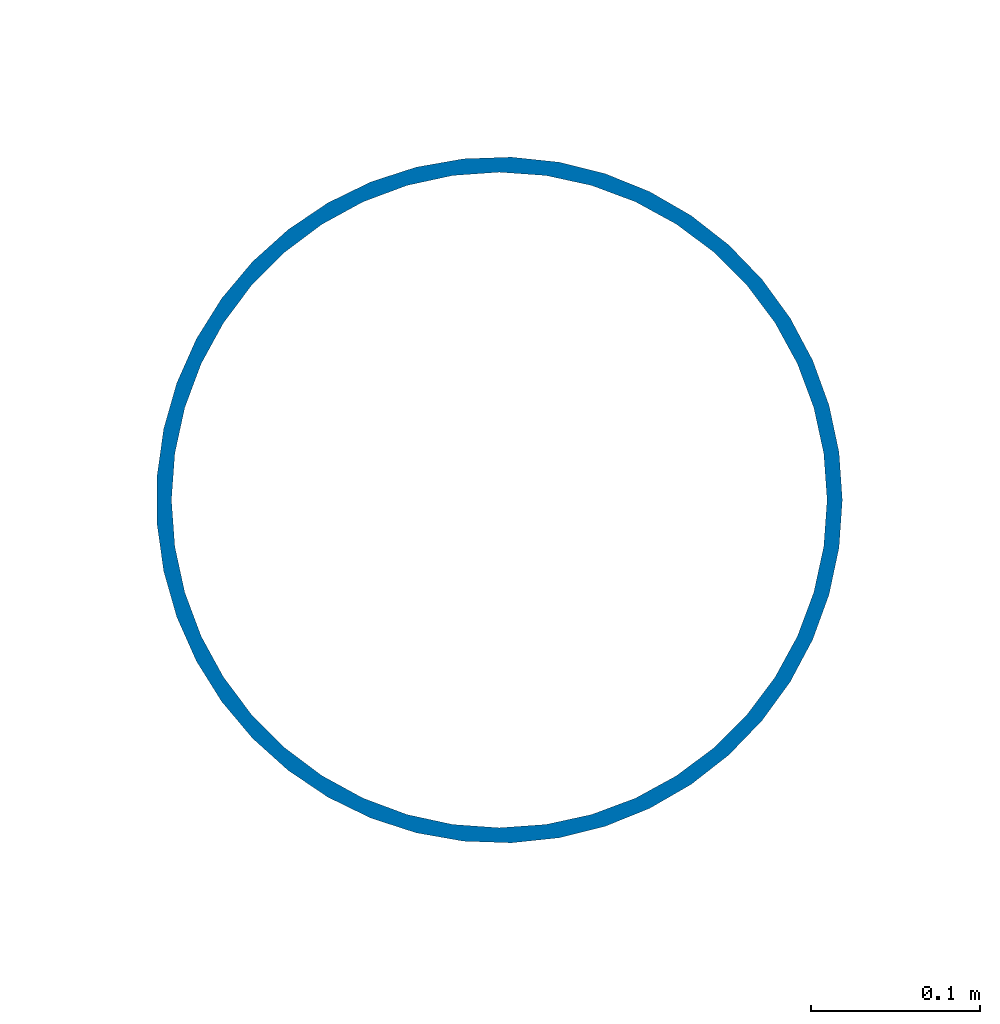
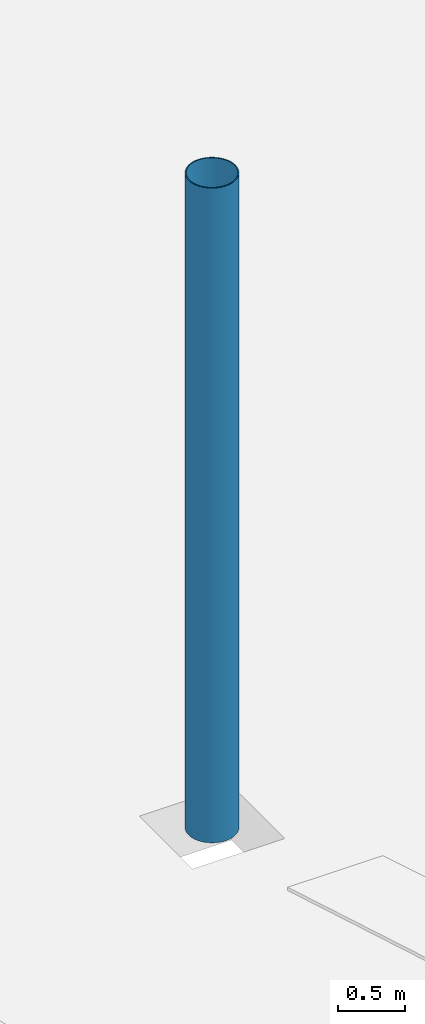
# One storey, part 7 of 210: 1 column.
"""IFC4 building model written with IfcOpenShell, lengths in metres."""

import ifcopenshell
import ifcopenshell.guid

model = None  # the IFC model being written
_history = None  # IfcOwnerHistory: only IFC2X3 demands one
_inside = {}  # id of a spatial element -> (the spatial element, [elements in it])
_under = {}  # id of a project, library or spatial element -> (it, [spatial elements below it])
_declared = {}  # id of a project -> (the project, [libraries it declares])
_typed = {}  # id of a type object -> (the type object, [elements of that type])
_made_of = {}  # id of a material, layer set ... -> (it, [elements and type objects made of it])


def new_model(schema):
    """Start an empty IFC model of exactly this schema.

    Asked for "IFC4X3", IfcOpenShell would pick the latest addendum, in which some entities
    have other attributes; the version numbers below select the first issue.
    IFC2X3 requires an IfcOwnerHistory on every rooted entity: one is made here for all.
    """
    global model, _history
    if schema == "IFC4X3":
        model = ifcopenshell.file(schema_version=(4, 3, 0, 0))
    else:
        model = ifcopenshell.file(schema=schema)
    _inside.clear()
    _under.clear()
    _declared.clear()
    _typed.clear()
    _made_of.clear()
    _history = None
    if model.schema == "IFC2X3":
        org = make("IfcOrganization", Name="unknown")
        user = make(
            "IfcPersonAndOrganization",
            ThePerson=make("IfcPerson", FamilyName="unknown"),
            TheOrganization=org,
        )
        app = make(
            "IfcApplication",
            ApplicationDeveloper=org,
            Version="unknown",
            ApplicationFullName="unknown",
            ApplicationIdentifier="unknown",
        )
        _history = make(
            "IfcOwnerHistory",
            OwningUser=user,
            OwningApplication=app,
            ChangeAction="ADDED",
            CreationDate=0,
        )
    return model


def make(cls, **values):
    """One entity of the class cls with the attributes given. An attribute that is None is left unset."""
    return model.create_entity(
        cls, **{name: value for name, value in values.items() if value is not None}
    )


def rooted(cls, **values):
    """An entity with a GlobalId (a new one), such as an element, a storey or a relation."""
    return make(cls, GlobalId=ifcopenshell.guid.new(), OwnerHistory=_history, **values)


def si_unit(unit_type, name, prefix=None):
    """IfcSIUnit, for example si_unit("LENGTHUNIT", "METRE", prefix="MILLI")."""
    return make("IfcSIUnit", UnitType=unit_type, Prefix=prefix, Name=name)


def assignment(units):
    """IfcUnitAssignment: the units of a project."""
    return None if units is None else make("IfcUnitAssignment", Units=units)


def point(xyz):
    """IfcCartesianPoint."""
    return None if xyz is None else make("IfcCartesianPoint", Coordinates=xyz)


def direction(xyz):
    """IfcDirection."""
    return None if xyz is None else make("IfcDirection", DirectionRatios=xyz)


def frame(location, z_axis=None, x_axis=None):
    """IfcAxis2Placement3D, a coordinate frame: its origin and axes. An axis left out is left unset."""
    return make(
        "IfcAxis2Placement3D",
        Location=point(location),
        Axis=direction(z_axis),
        RefDirection=direction(x_axis),
    )


def frame_2d(location, x_axis=None):
    """IfcAxis2Placement2D, a coordinate frame in the plane: its origin and x axis."""
    return make(
        "IfcAxis2Placement2D", Location=point(location), RefDirection=direction(x_axis)
    )


def origin():
    """The frame at (0, 0, 0) with its axes left unset."""
    return frame((0.0, 0.0, 0.0))


def origin_2d():
    """The frame at (0, 0) in the plane with its x axis left unset."""
    return frame_2d((0.0, 0.0))


def place(relative_to, where):
    """IfcLocalPlacement: puts the frame where relative to a parent placement (None: the world)."""
    return make(
        "IfcLocalPlacement", PlacementRelTo=relative_to, RelativePlacement=where
    )


def context(
    kind, dimensions, precision=None, world=None, true_north=None, identifier=None
):
    """IfcGeometricRepresentationContext, for example the 3D "Model" context."""
    return make(
        "IfcGeometricRepresentationContext",
        ContextIdentifier=identifier,
        ContextType=kind,
        CoordinateSpaceDimension=dimensions,
        Precision=precision,
        WorldCoordinateSystem=world,
        TrueNorth=true_north,
    )


def subcontext(parent, identifier, kind, view, scale=None):
    """IfcGeometricRepresentationSubContext, for example "Body" below "Model"."""
    return make(
        "IfcGeometricRepresentationSubContext",
        ContextIdentifier=identifier,
        ContextType=kind,
        ParentContext=parent,
        TargetScale=scale,
        TargetView=view,
    )


def project(units=None, contexts=None):
    """IfcProject with its units and contexts."""
    return rooted(
        "IfcProject",
        Name="project",
        RepresentationContexts=contexts,
        UnitsInContext=assignment(units),
    )


def spatial(cls, under=None, at=None, **own):
    """A site, building, storey or space (cls), placed at a placement, below another one or the project."""
    s = rooted(cls, ObjectPlacement=at, **own)
    if under is not None:
        _under.setdefault(under.id(), (under, []))[1].append(s)
    return s


def profile(cls, at=None, kind="AREA", **sizes):
    """A parametric profile (cls). Its sizes go by their IFC names, for example OverallWidth=200.0."""
    return make(cls, ProfileType=kind, Position=at, **sizes)


def hollow_circle(**sizes):
    """IfcCircleHollowProfileDef."""
    return profile("IfcCircleHollowProfileDef", **sizes)


def extrude(swept, where, along, depth):
    """IfcExtrudedAreaSolid: the profile swept, set in the frame where, extruded along a direction by depth."""
    return make(
        "IfcExtrudedAreaSolid",
        SweptArea=swept,
        Position=where,
        ExtrudedDirection=direction(along),
        Depth=depth,
    )


def shape(context_of_items, identifier, shape_type, items):
    """IfcShapeRepresentation: the items that make up one representation, for example the "Body"."""
    return make(
        "IfcShapeRepresentation",
        ContextOfItems=context_of_items,
        RepresentationIdentifier=identifier,
        RepresentationType=shape_type,
        Items=items,
    )


def material(Name=None, Category=None):
    """IfcMaterial."""
    return make("IfcMaterial", Name=Name, Category=Category)


def material_profile(
    of_material, cross_section, Name=None, Category=None, Priority=None
):
    """IfcMaterialProfile: a cross section and its material."""
    return make(
        "IfcMaterialProfile",
        Name=Name,
        Material=of_material,
        Profile=cross_section,
        Priority=Priority,
        Category=Category,
    )


def profile_set(profiles, Name=None, composite=None):
    """IfcMaterialProfileSet."""
    return make(
        "IfcMaterialProfileSet",
        Name=Name,
        MaterialProfiles=profiles,
        CompositeProfile=composite,
    )


def made_of(thing, what):
    """Note that an element or type object is made of a material, layer set ...; save() writes the relation."""
    if what is not None:
        _made_of.setdefault(what.id(), (what, []))[1].append(thing)
    return thing


def type_object(cls, material=None, **own):
    """A type object (cls), such as IfcWallType, which elements share."""
    return made_of(rooted(cls, **own), material)


def element(
    cls,
    number,
    at=None,
    inside=None,
    cuts=None,
    type_object=None,
    material=None,
    context=None,
    identifier="Body",
    shape_type=None,
    held_by="IfcProductDefinitionShape",
    body=None,
    shapes=None,
    **own,
):
    """One element of the class cls, such as IfcWall. Its Tag is "e" and its number.

    at: its placement. inside: the storey or other place that contains it. cuts: it is an
    opening in that element (IfcRelVoidsElement). A single representation is given by context,
    identifier, shape_type and body (its items); several are given by shapes. held_by: the class
    of the entity that holds the representations. save() writes the other relations.
    """
    e = rooted(cls, Tag="e%d" % number, ObjectPlacement=at, **own)
    if body is not None:
        shapes = [shape(context, identifier, shape_type, body)]
    if shapes is not None:
        e.Representation = make(held_by, Representations=shapes)
    if inside is not None:
        _inside.setdefault(inside.id(), (inside, []))[1].append(e)
    if cuts is not None:
        rooted(
            "IfcRelVoidsElement", RelatingBuildingElement=cuts, RelatedOpeningElement=e
        )
    if type_object is not None:
        _typed.setdefault(type_object.id(), (type_object, []))[1].append(e)
    return made_of(e, material)


def aggregate(whole, parts):
    """IfcRelAggregates: a whole, such as a stair, and the parts it consists of."""
    return rooted("IfcRelAggregates", RelatingObject=whole, RelatedObjects=parts)


def save(model, path):
    """Write the relations noted so far, then the file.

    IfcRelAggregates (storeys below a building ...), IfcRelContainedInSpatialStructure (elements
    in a storey), IfcRelDefinesByType, IfcRelAssociatesMaterial and IfcRelDeclares: one each for
    every whole, place, type object, material and project.
    """
    for whole, parts in _under.values():
        aggregate(whole, parts)
    for where, things in _inside.values():
        rooted(
            "IfcRelContainedInSpatialStructure",
            RelatedElements=things,
            RelatingStructure=where,
        )
    for kind, things in _typed.values():
        rooted("IfcRelDefinesByType", RelatedObjects=things, RelatingType=kind)
    for what, things in _made_of.values():
        rooted("IfcRelAssociatesMaterial", RelatedObjects=things, RelatingMaterial=what)
    for by, libraries in _declared.values():
        rooted("IfcRelDeclares", RelatingContext=by, RelatedDefinitions=libraries)
    model.write(path)


model = new_model("IFC4")

# Units and contexts
model_context = context("Model", 3, precision=1e-05, world=origin(), true_north=direction((0.0, 1.0)))
body_context = subcontext(model_context, "Body", "Model", "MODEL_VIEW")
ifc_project = project(units=[si_unit("LENGTHUNIT", "METRE"), si_unit("AREAUNIT", "SQUARE_METRE"), si_unit("VOLUMEUNIT", "CUBIC_METRE"), si_unit("PLANEANGLEUNIT", "RADIAN"), si_unit("MASSUNIT", "GRAM", prefix="KILO")], contexts=[model_context])

# Site, building, storey
site_placement = place(None, origin())
site = spatial("IfcSite", under=ifc_project, at=site_placement, CompositionType="ELEMENT")
building_placement = place(site_placement, origin())
building = spatial("IfcBuilding", under=site, at=building_placement, Name="Rain Tree Exposition and Congress Centre", CompositionType="ELEMENT")
storey_placement = place(building_placement, origin())
storey = spatial("IfcBuildingStorey", under=building, at=storey_placement, Name="L00", CompositionType="ELEMENT", Elevation=0.0)

# Column
ifc_material = material(Name="Steel S355J2H", Category="steel")
ifc_material_profile = material_profile(ifc_material, hollow_circle(Radius=0.203125, WallThickness=0.009033203125, at=origin_2d()), Name="CHS 406.4x9")
ifc_profile_set = profile_set([ifc_material_profile], Name="Steel S355J2H")
column_type = type_object("IfcColumnType", Name="Steel column CHS 406.4x9", PredefinedType="COLUMN", material=ifc_profile_set)
column_placement = place(storey_placement, frame((109.199951171875, 50.39990234375, 0.0), z_axis=(0.0, 0.0, 1.0), x_axis=(1.0, 0.0, 0.0)))
element("IfcColumn", 1, at=column_placement, inside=storey, type_object=column_type, Name="Rain tree column 7", PredefinedType="COLUMN", context=body_context, shape_type="SweptSolid", body=[
    extrude(hollow_circle(Radius=0.203125, WallThickness=0.009033203125, at=origin_2d()), origin(), (0.0, 0.0, 1.0), 6.0),
])

save(model, "model.ifc")
